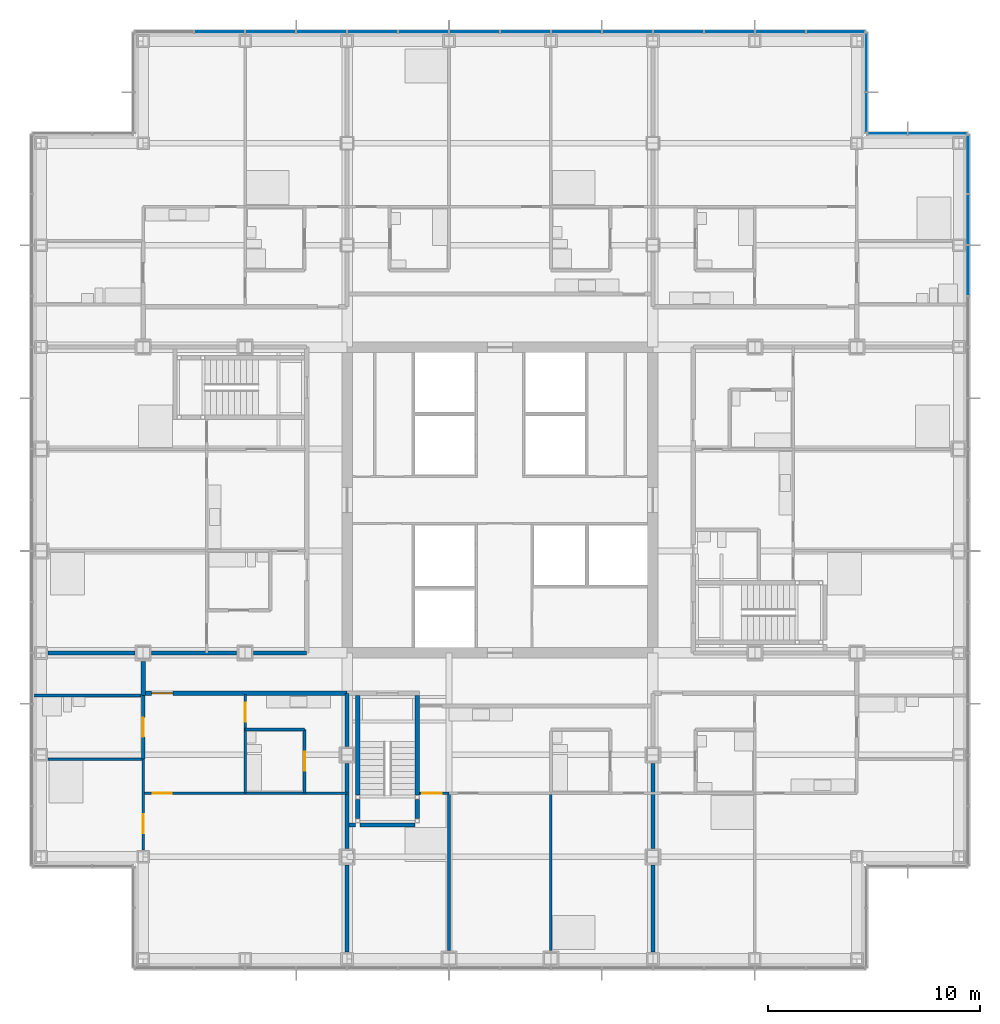
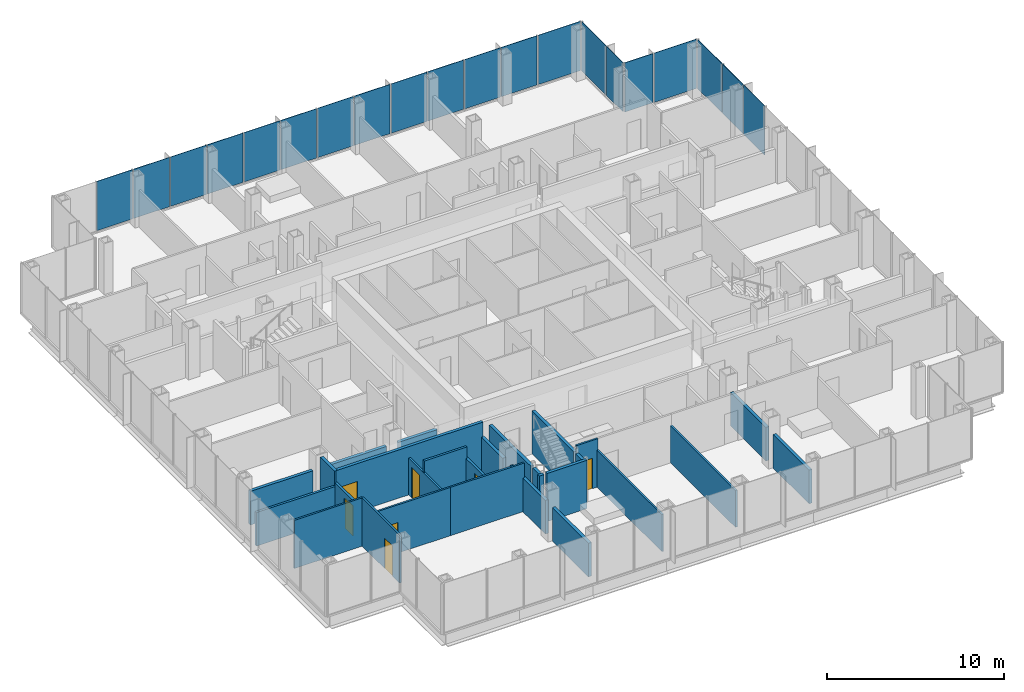
# One storey, part 13 of 21: 28 walls, 20 plates, 7 doors, 7 openings, 4 elements without a shape of their own.
"""IFC4 building model written with IfcOpenShell, lengths in metres."""

from ifc_helpers import new_model, si_unit, direction, frame, frame_2d, origin, origin_2d, place, context, subcontext, project, spatial, rectangle, extrude, material, layer, layer_set, type_object, element, fill, aggregate, save


model = new_model("IFC4")

# Units and contexts
model_context = context("Model", 3, precision=1e-05, world=origin(), true_north=direction((0.0, 1.0)))
body_context = subcontext(model_context, "Body", "Model", "MODEL_VIEW")
ifc_project = project(units=[si_unit("LENGTHUNIT", "METRE"), si_unit("AREAUNIT", "SQUARE_METRE"), si_unit("VOLUMEUNIT", "CUBIC_METRE"), si_unit("PLANEANGLEUNIT", "RADIAN"), si_unit("MASSUNIT", "GRAM", prefix="KILO")], contexts=[model_context])

# Site, building, storey
site_placement = place(None, origin())
site = spatial("IfcSite", under=ifc_project, at=site_placement, CompositionType="ELEMENT")
building_placement = place(site_placement, origin())
building = spatial("IfcBuilding", under=site, at=building_placement, Name="Kvirike Care Tower", CompositionType="ELEMENT")
storey_placement = place(building_placement, frame((0.0, 0.0, 62.0)))
storey = spatial("IfcBuildingStorey", under=building, at=storey_placement, Name="L16", CompositionType="ELEMENT", Elevation=62.0)

# Curtain wall, plates
ifc_material_1 = material(Name="Anodised aluminium stick system", Category="aluminium")
curtain_wall_type = type_object("IfcCurtainWallType", Name="CW-A STICK CURTAIN WALL", PredefinedType="NOTDEFINED", material=ifc_material_1)
curtain_wall_1_placement = place(storey_placement, origin())
curtain_wall_1 = element("IfcCurtainWall", 1, at=curtain_wall_1_placement, inside=storey, type_object=curtain_wall_type, Name="Curtain wall L16 face 7", PredefinedType="NOTDEFINED")
ifc_material_2 = material(Name="Tinted double glazed unit", Category="glass")
ifc_layer_1 = layer(ifc_material_2, 0.031982421875)
ifc_layer_set_1 = layer_set([ifc_layer_1], Name="TINTED VISION PANEL 32")
plate_type = type_object("IfcPlateType", Name="TINTED VISION PANEL 32", PredefinedType="CURTAIN_PANEL", material=ifc_layer_set_1)
plate_1_placement = place(storey_placement, frame((43.64990234375, 46.800048828125, 0.10009765625), z_axis=(0.0, 0.0, 1.0), x_axis=(0.0, 1.0, 0.0)))
plate_1 = element("IfcPlate", 2, at=plate_1_placement, type_object=plate_type, Name="CW-A panel L16 face 7.12", PredefinedType="CURTAIN_PANEL", context=body_context, shape_type="SweptSolid", body=[
    extrude(rectangle(XDim=2.3349609375, YDim=0.031982421875, at=origin_2d()), origin(), (0.0, 0.0, 1.0), 3.39990234375),
])
plate_2_placement = place(storey_placement, frame((43.64990234375, 49.199951171875, 0.10009765625), z_axis=(0.0, 0.0, 1.0), x_axis=(0.0, 1.0, 0.0)))
plate_2 = element("IfcPlate", 3, at=plate_2_placement, type_object=plate_type, Name="CW-A panel L16 face 7.13", PredefinedType="CURTAIN_PANEL", context=body_context, shape_type="SweptSolid", body=[
    extrude(rectangle(XDim=2.3349609375, YDim=0.031982421875, at=origin_2d()), origin(), (0.0, 0.0, 1.0), 3.39990234375),
])
plate_3_placement = place(storey_placement, frame((43.64990234375, 51.808837890625, 0.10009765625), z_axis=(0.0, 0.0, 1.0), x_axis=(0.0, 1.0, 0.0)))
plate_3 = element("IfcPlate", 4, at=plate_3_placement, type_object=plate_type, Name="CW-A panel L16 face 7.14", PredefinedType="CURTAIN_PANEL", context=body_context, shape_type="SweptSolid", body=[
    extrude(rectangle(XDim=2.75244140625, YDim=0.031982421875, at=origin_2d()), origin(), (0.0, 0.0, 1.0), 3.39990234375),
])
aggregate(curtain_wall_1, [plate_1, plate_2, plate_3])

curtain_wall_2_placement = place(storey_placement, origin())
curtain_wall_2 = element("IfcCurtainWall", 5, at=curtain_wall_2_placement, inside=storey, type_object=curtain_wall_type, Name="Curtain wall L16 face 8", PredefinedType="NOTDEFINED")
plate_4_placement = place(storey_placement, frame((42.208740234375, 53.25, 0.10009765625), z_axis=(0.0, 0.0, 1.0), x_axis=(-1.0, 0.0, 0.0)))
plate_4 = element("IfcPlate", 6, at=plate_4_placement, type_object=plate_type, Name="CW-A panel L16 face 8.1", PredefinedType="CURTAIN_PANEL", context=body_context, shape_type="SweptSolid", body=[
    extrude(rectangle(XDim=2.75244140625, YDim=0.031982421875, at=origin_2d()), origin(), (0.0, 0.0, 1.0), 3.39990234375),
])
plate_5_placement = place(storey_placement, frame((39.84130859375, 53.25, 0.10009765625), z_axis=(0.0, 0.0, 1.0), x_axis=(-1.0, 0.0, 0.0)))
plate_5 = element("IfcPlate", 7, at=plate_5_placement, type_object=plate_type, Name="CW-A panel L16 face 8.2", PredefinedType="CURTAIN_PANEL", context=body_context, shape_type="SweptSolid", body=[
    extrude(rectangle(XDim=1.8525390625, YDim=0.031982421875, at=origin_2d()), origin(), (0.0, 0.0, 1.0), 3.39990234375),
])
aggregate(curtain_wall_2, [plate_4, plate_5])

curtain_wall_3_placement = place(storey_placement, origin())
curtain_wall_3 = element("IfcCurtainWall", 8, at=curtain_wall_3_placement, inside=storey, type_object=curtain_wall_type, Name="Curtain wall L16 face 9", PredefinedType="NOTDEFINED")
plate_6_placement = place(storey_placement, frame((38.85009765625, 54.2412109375, 0.10009765625), z_axis=(0.0, 0.0, 1.0), x_axis=(0.0, 1.0, 0.0)))
plate_6 = element("IfcPlate", 9, at=plate_6_placement, type_object=plate_type, Name="CW-A panel L16 face 9.1", PredefinedType="CURTAIN_PANEL", context=body_context, shape_type="SweptSolid", body=[
    extrude(rectangle(XDim=1.8525390625, YDim=0.031982421875, at=origin_2d()), origin(), (0.0, 0.0, 1.0), 3.39990234375),
])
plate_7_placement = place(storey_placement, frame((38.85009765625, 56.608642578125, 0.10009765625), z_axis=(0.0, 0.0, 1.0), x_axis=(0.0, 1.0, 0.0)))
plate_7 = element("IfcPlate", 10, at=plate_7_placement, type_object=plate_type, Name="CW-A panel L16 face 9.2", PredefinedType="CURTAIN_PANEL", context=body_context, shape_type="SweptSolid", body=[
    extrude(rectangle(XDim=2.75244140625, YDim=0.031982421875, at=origin_2d()), origin(), (0.0, 0.0, 1.0), 3.39990234375),
])
aggregate(curtain_wall_3, [plate_6, plate_7])

curtain_wall_4_placement = place(storey_placement, origin())
curtain_wall_4 = element("IfcCurtainWall", 11, at=curtain_wall_4_placement, inside=storey, type_object=curtain_wall_type, Name="Curtain wall L16 face 10", PredefinedType="NOTDEFINED")
plate_8_placement = place(storey_placement, frame((37.40869140625, 58.050048828125, 0.10009765625), z_axis=(0.0, 0.0, 1.0), x_axis=(-1.0, 0.0, 0.0)))
plate_8 = element("IfcPlate", 12, at=plate_8_placement, type_object=plate_type, Name="CW-A panel L16 face 10.1", PredefinedType="CURTAIN_PANEL", context=body_context, shape_type="SweptSolid", body=[
    extrude(rectangle(XDim=2.75244140625, YDim=0.031982421875, at=origin_2d()), origin(), (0.0, 0.0, 1.0), 3.39990234375),
])
plate_9_placement = place(storey_placement, frame((34.800048828125, 58.050048828125, 0.10009765625), z_axis=(0.0, 0.0, 1.0), x_axis=(-1.0, 0.0, 0.0)))
plate_9 = element("IfcPlate", 13, at=plate_9_placement, type_object=plate_type, Name="CW-A panel L16 face 10.2", PredefinedType="CURTAIN_PANEL", context=body_context, shape_type="SweptSolid", body=[
    extrude(rectangle(XDim=2.3349609375, YDim=0.031982421875, at=origin_2d()), origin(), (0.0, 0.0, 1.0), 3.39990234375),
])
plate_10_placement = place(storey_placement, frame((32.39990234375, 58.050048828125, 0.10009765625), z_axis=(0.0, 0.0, 1.0), x_axis=(-1.0, 0.0, 0.0)))
plate_10 = element("IfcPlate", 14, at=plate_10_placement, type_object=plate_type, Name="CW-A panel L16 face 10.3", PredefinedType="CURTAIN_PANEL", context=body_context, shape_type="SweptSolid", body=[
    extrude(rectangle(XDim=2.3349609375, YDim=0.031982421875, at=origin_2d()), origin(), (0.0, 0.0, 1.0), 3.39990234375),
])
plate_11_placement = place(storey_placement, frame((30.0, 58.050048828125, 0.10009765625), z_axis=(0.0, 0.0, 1.0), x_axis=(-1.0, 0.0, 0.0)))
plate_11 = element("IfcPlate", 15, at=plate_11_placement, type_object=plate_type, Name="CW-A panel L16 face 10.4", PredefinedType="CURTAIN_PANEL", context=body_context, shape_type="SweptSolid", body=[
    extrude(rectangle(XDim=2.3349609375, YDim=0.031982421875, at=origin_2d()), origin(), (0.0, 0.0, 1.0), 3.39990234375),
])
plate_12_placement = place(storey_placement, frame((27.60009765625, 58.050048828125, 0.10009765625), z_axis=(0.0, 0.0, 1.0), x_axis=(-1.0, 0.0, 0.0)))
plate_12 = element("IfcPlate", 16, at=plate_12_placement, type_object=plate_type, Name="CW-A panel L16 face 10.5", PredefinedType="CURTAIN_PANEL", context=body_context, shape_type="SweptSolid", body=[
    extrude(rectangle(XDim=2.3349609375, YDim=0.031982421875, at=origin_2d()), origin(), (0.0, 0.0, 1.0), 3.39990234375),
])
plate_13_placement = place(storey_placement, frame((25.199951171875, 58.050048828125, 0.10009765625), z_axis=(0.0, 0.0, 1.0), x_axis=(-1.0, 0.0, 0.0)))
plate_13 = element("IfcPlate", 17, at=plate_13_placement, type_object=plate_type, Name="CW-A panel L16 face 10.6", PredefinedType="CURTAIN_PANEL", context=body_context, shape_type="SweptSolid", body=[
    extrude(rectangle(XDim=2.3349609375, YDim=0.031982421875, at=origin_2d()), origin(), (0.0, 0.0, 1.0), 3.39990234375),
])
plate_14_placement = place(storey_placement, frame((22.800048828125, 58.050048828125, 0.10009765625), z_axis=(0.0, 0.0, 1.0), x_axis=(-1.0, 0.0, 0.0)))
plate_14 = element("IfcPlate", 18, at=plate_14_placement, type_object=plate_type, Name="CW-A panel L16 face 10.7", PredefinedType="CURTAIN_PANEL", context=body_context, shape_type="SweptSolid", body=[
    extrude(rectangle(XDim=2.3349609375, YDim=0.031982421875, at=origin_2d()), origin(), (0.0, 0.0, 1.0), 3.39990234375),
])
plate_15_placement = place(storey_placement, frame((20.39990234375, 58.050048828125, 0.10009765625), z_axis=(0.0, 0.0, 1.0), x_axis=(-1.0, 0.0, 0.0)))
plate_15 = element("IfcPlate", 19, at=plate_15_placement, type_object=plate_type, Name="CW-A panel L16 face 10.8", PredefinedType="CURTAIN_PANEL", context=body_context, shape_type="SweptSolid", body=[
    extrude(rectangle(XDim=2.3349609375, YDim=0.031982421875, at=origin_2d()), origin(), (0.0, 0.0, 1.0), 3.39990234375),
])
plate_16_placement = place(storey_placement, frame((18.0, 58.050048828125, 0.10009765625), z_axis=(0.0, 0.0, 1.0), x_axis=(-1.0, 0.0, 0.0)))
plate_16 = element("IfcPlate", 20, at=plate_16_placement, type_object=plate_type, Name="CW-A panel L16 face 10.9", PredefinedType="CURTAIN_PANEL", context=body_context, shape_type="SweptSolid", body=[
    extrude(rectangle(XDim=2.3349609375, YDim=0.031982421875, at=origin_2d()), origin(), (0.0, 0.0, 1.0), 3.39990234375),
])
plate_17_placement = place(storey_placement, frame((15.60009765625, 58.050048828125, 0.10009765625), z_axis=(0.0, 0.0, 1.0), x_axis=(-1.0, 0.0, 0.0)))
plate_17 = element("IfcPlate", 21, at=plate_17_placement, type_object=plate_type, Name="CW-A panel L16 face 10.10", PredefinedType="CURTAIN_PANEL", context=body_context, shape_type="SweptSolid", body=[
    extrude(rectangle(XDim=2.3349609375, YDim=0.031982421875, at=origin_2d()), origin(), (0.0, 0.0, 1.0), 3.39990234375),
])
plate_18_placement = place(storey_placement, frame((13.199951171875, 58.050048828125, 0.10009765625), z_axis=(0.0, 0.0, 1.0), x_axis=(-1.0, 0.0, 0.0)))
plate_18 = element("IfcPlate", 22, at=plate_18_placement, type_object=plate_type, Name="CW-A panel L16 face 10.11", PredefinedType="CURTAIN_PANEL", context=body_context, shape_type="SweptSolid", body=[
    extrude(rectangle(XDim=2.3349609375, YDim=0.031982421875, at=origin_2d()), origin(), (0.0, 0.0, 1.0), 3.39990234375),
])
plate_19_placement = place(storey_placement, frame((10.800048828125, 58.050048828125, 0.10009765625), z_axis=(0.0, 0.0, 1.0), x_axis=(-1.0, 0.0, 0.0)))
plate_19 = element("IfcPlate", 23, at=plate_19_placement, type_object=plate_type, Name="CW-A panel L16 face 10.12", PredefinedType="CURTAIN_PANEL", context=body_context, shape_type="SweptSolid", body=[
    extrude(rectangle(XDim=2.3349609375, YDim=0.031982421875, at=origin_2d()), origin(), (0.0, 0.0, 1.0), 3.39990234375),
])
plate_20_placement = place(storey_placement, frame((8.39990234375, 58.050048828125, 0.10009765625), z_axis=(0.0, 0.0, 1.0), x_axis=(-1.0, 0.0, 0.0)))
plate_20 = element("IfcPlate", 24, at=plate_20_placement, type_object=plate_type, Name="CW-A panel L16 face 10.13", PredefinedType="CURTAIN_PANEL", context=body_context, shape_type="SweptSolid", body=[
    extrude(rectangle(XDim=2.3349609375, YDim=0.031982421875, at=origin_2d()), origin(), (0.0, 0.0, 1.0), 3.39990234375),
])
aggregate(curtain_wall_4, [plate_8, plate_9, plate_10, plate_11, plate_12, plate_13, plate_14, plate_15, plate_16, plate_17, plate_18, plate_19, plate_20])

# Wall, opening, door
ifc_material_3 = material(Name="Moisture-resistant board partition", Category="gypsum")
ifc_layer_2 = layer(ifc_material_3, 0.14990234375)
ifc_layer_set_2 = layer_set([ifc_layer_2], Name="BATHROOM WALL 150")
wall_type_1 = type_object("IfcWallType", Name="BATHROOM WALL 150", PredefinedType="PARTITIONING", material=ifc_layer_set_2)
wall_1_placement = place(storey_placement, frame((4.800048828125, 23.800048828125, 0.0), z_axis=(0.0, 0.0, 1.0), x_axis=(0.0, 1.0, 0.0)))
wall_1 = element("IfcWall", 25, at=wall_1_placement, inside=storey, type_object=wall_type_1, Name="Bathroom Wall 150 L16", PredefinedType="PARTITIONING", context=body_context, shape_type="SweptSolid", body=[
    extrude(rectangle(XDim=3.0, YDim=0.14990234375, at=frame_2d((1.5, 0.0))), origin(), (0.0, 0.0, 1.0), 2.550048828125),
])
opening_1_placement = place(wall_1_placement, frame((1.050048828125, 0.0, 0.0)))
opening_1 = element("IfcOpeningElement", 26, at=opening_1_placement, cuts=wall_1, Name="Opening 16-001", PredefinedType="OPENING", context=body_context, shape_type="SweptSolid", body=[
    extrude(rectangle(XDim=0.89990234375, YDim=2.10009765625, at=frame_2d((0.449951171875, 1.050048828125))), frame((0.0, 0.08544921875, 0.0), z_axis=(0.0, -1.0, 0.0), x_axis=(1.0, 0.0, 0.0)), (0.0, 0.0, 1.0), 0.1708984375),
])
ifc_material_4 = material(Name="Timber door set", Category="wood")
door_type_1 = type_object("IfcDoorType", Name="BATHROOM DOOR 900", OperationType="SINGLE_SWING_RIGHT", PredefinedType="DOOR", material=ifc_material_4)
door_1_placement = place(opening_1_placement, origin())
door_1 = element("IfcDoor", 27, at=door_1_placement, inside=storey, type_object=door_type_1, Name="Shower room door", OperationType="SINGLE_SWING_LEFT", OverallHeight=2.10009765625, OverallWidth=0.89990234375, PredefinedType="DOOR", context=body_context, shape_type="SweptSolid", body=[
    extrude(rectangle(XDim=0.89990234375, YDim=2.10009765625, at=frame_2d((0.449951171875, 1.050048828125))), frame((0.0, 0.02197265625, 0.0), z_axis=(0.0, -1.0, 0.0), x_axis=(1.0, 0.0, 0.0)), (0.0, 0.0, 1.0), 0.0439453125),
])
fill(opening_1, door_1)

wall_2_placement = place(storey_placement, frame((12.39990234375, 22.199951171875, 0.0), z_axis=(0.0, 0.0, 1.0), x_axis=(0.0, 1.0, 0.0)))
wall_2 = element("IfcWall", 28, at=wall_2_placement, inside=storey, type_object=wall_type_1, Name="Bathroom Wall 150 L16", PredefinedType="PARTITIONING", context=body_context, shape_type="SweptSolid", body=[
    extrude(rectangle(XDim=3.0, YDim=0.14990234375, at=frame_2d((1.5, 0.0))), origin(), (0.0, 0.0, 1.0), 2.550048828125),
])
opening_2_placement = place(wall_2_placement, frame((1.050048828125, 0.0, 0.0)))
opening_2 = element("IfcOpeningElement", 29, at=opening_2_placement, cuts=wall_2, Name="Opening 16-002", PredefinedType="OPENING", context=body_context, shape_type="SweptSolid", body=[
    extrude(rectangle(XDim=0.89990234375, YDim=2.10009765625, at=frame_2d((0.449951171875, 1.050048828125))), frame((0.0, 0.08544921875, 0.0), z_axis=(0.0, -1.0, 0.0), x_axis=(1.0, 0.0, 0.0)), (0.0, 0.0, 1.0), 0.1708984375),
])
door_2_placement = place(opening_2_placement, origin())
door_2 = element("IfcDoor", 30, at=door_2_placement, inside=storey, type_object=door_type_1, Name="Bathroom door", OperationType="SINGLE_SWING_RIGHT", OverallHeight=2.10009765625, OverallWidth=0.89990234375, PredefinedType="DOOR", context=body_context, shape_type="SweptSolid", body=[
    extrude(rectangle(XDim=0.89990234375, YDim=2.10009765625, at=frame_2d((0.449951171875, 1.050048828125))), frame((0.0, 0.02197265625, 0.0), z_axis=(0.0, -1.0, 0.0), x_axis=(1.0, 0.0, 0.0)), (0.0, 0.0, 1.0), 0.0439453125),
])
fill(opening_2, door_2)

# Walls
wall_3_placement = place(storey_placement, frame((9.60009765625, 25.199951171875, 0.0), z_axis=(0.0, 0.0, 1.0), x_axis=(1.0, 0.0, 0.0)))
element("IfcWall", 31, at=wall_3_placement, inside=storey, type_object=wall_type_1, Name="Bathroom Wall 150 L16", PredefinedType="PARTITIONING", context=body_context, shape_type="SweptSolid", body=[
    extrude(rectangle(XDim=2.7998046875, YDim=0.14990234375, at=frame_2d((1.39990234375, 0.0))), origin(), (0.0, 0.0, 1.0), 3.330078125),
])
wall_4_placement = place(storey_placement, frame((-0.429931640625, 26.800048828125, 0.0), z_axis=(0.0, 0.0, 1.0), x_axis=(1.0, 0.0, 0.0)))
element("IfcWall", 32, at=wall_4_placement, inside=storey, type_object=wall_type_1, Name="Bathroom Wall 150 L16", PredefinedType="PARTITIONING", context=body_context, shape_type="SweptSolid", body=[
    extrude(rectangle(XDim=5.1298828125, YDim=0.14990234375, at=frame_2d((2.56494140625, 0.0))), origin(), (0.0, 0.0, 1.0), 2.320068359375),
])

# Wall, opening, door
ifc_material_5 = material(Name="Plasterboard corridor wall", Category="gypsum")
ifc_layer_3 = layer(ifc_material_5, 0.199951171875)
ifc_layer_set_3 = layer_set([ifc_layer_3], Name="CORRIDOR WALL 200")
wall_type_2 = type_object("IfcWallType", Name="CORRIDOR WALL 200", PredefinedType="PARTITIONING", material=ifc_layer_set_3)
wall_5_placement = place(storey_placement, frame((4.800048828125, 26.89990234375, 0.0), z_axis=(0.0, 0.0, 1.0), x_axis=(1.0, 0.0, 0.0)))
wall_5 = element("IfcWall", 33, at=wall_5_placement, inside=storey, type_object=wall_type_2, Name="Corridor Wall 200 L16", PredefinedType="PARTITIONING", context=body_context, shape_type="SweptSolid", body=[
    extrude(rectangle(XDim=9.599853515625, YDim=0.199951171875, at=frame_2d((4.7998046875, 0.0))), origin(), (0.0, 0.0, 1.0), 3.330078125),
])
opening_3_placement = place(wall_5_placement, frame((0.39990234375, 0.0, 0.0)))
opening_3 = element("IfcOpeningElement", 34, at=opening_3_placement, cuts=wall_5, Name="Opening 16-006", PredefinedType="OPENING", context=body_context, shape_type="SweptSolid", body=[
    extrude(rectangle(XDim=1.0, YDim=2.10009765625, at=frame_2d((0.5, 1.050048828125))), frame((0.0, 0.110595703125, 0.0), z_axis=(0.0, -1.0, 0.0), x_axis=(1.0, 0.0, 0.0)), (0.0, 0.0, 1.0), 0.220947265625),
])
ifc_material_6 = material(Name="Timber door set", Category="wood")
door_type_2 = type_object("IfcDoorType", Name="FLAT ENTRANCE DOOR 1000", OperationType="SINGLE_SWING_LEFT", PredefinedType="DOOR", material=ifc_material_6)
door_3_placement = place(opening_3_placement, frame((1.0, 0.0, 0.0), z_axis=(0.0, 0.0, 1.0), x_axis=(-1.0, 0.0, 0.0)))
door_3 = element("IfcDoor", 35, at=door_3_placement, inside=storey, type_object=door_type_2, Name="One-bedroom apartment entrance", OperationType="SINGLE_SWING_LEFT", OverallHeight=2.10009765625, OverallWidth=1.0, PredefinedType="DOOR", context=body_context, shape_type="SweptSolid", body=[
    extrude(rectangle(XDim=1.0, YDim=2.10009765625, at=frame_2d((0.5, 1.050048828125))), frame((0.0, 0.02685546875, 0.0), z_axis=(0.0, -1.0, 0.0), x_axis=(1.0, 0.0, 0.0)), (0.0, 0.0, 1.0), 0.053955078125),
])
fill(opening_3, door_3)

# Wall
wall_6_placement = place(storey_placement, frame((4.800048828125, 26.800048828125, 0.0), z_axis=(0.0, 0.0, 1.0), x_axis=(0.0, 1.0, 0.0)))
element("IfcWall", 36, at=wall_6_placement, inside=storey, type_object=wall_type_2, Name="Corridor Wall 200 L16", PredefinedType="PARTITIONING", context=body_context, shape_type="SweptSolid", body=[
    extrude(rectangle(XDim=1.60498046875, YDim=0.199951171875, at=frame_2d((0.802490234375, 0.0))), origin(), (0.0, 0.0, 1.0), 3.330078125),
])

# Wall, opening, door
ifc_material_7 = material(Name="Plasterboard partition", Category="gypsum")
ifc_layer_4 = layer(ifc_material_7, 0.1201171875)
ifc_layer_set_4 = layer_set([ifc_layer_4], Name="PARTITION 120")
wall_type_3 = type_object("IfcWallType", Name="PARTITION 120", PredefinedType="PARTITIONING", material=ifc_layer_set_4)
wall_7_placement = place(storey_placement, frame((9.60009765625, 22.199951171875, 0.0), z_axis=(0.0, 0.0, 1.0), x_axis=(0.0, 1.0, 0.0)))
wall_7 = element("IfcWall", 37, at=wall_7_placement, inside=storey, type_object=wall_type_3, Name="Partition 120 L16", PredefinedType="PARTITIONING", context=body_context, shape_type="SweptSolid", body=[
    extrude(rectangle(XDim=4.650146484375, YDim=0.1201171875, at=frame_2d((2.3251953125, 0.0))), origin(), (0.0, 0.0, 1.0), 2.550048828125),
])
opening_4_placement = place(wall_7_placement, frame((3.35009765625, 0.0, 0.0)))
opening_4 = element("IfcOpeningElement", 38, at=opening_4_placement, cuts=wall_7, Name="Opening 16-003", PredefinedType="OPENING", context=body_context, shape_type="SweptSolid", body=[
    extrude(rectangle(XDim=0.89990234375, YDim=2.10009765625, at=frame_2d((0.449951171875, 1.050048828125))), frame((0.0, 0.070556640625, 0.0), z_axis=(0.0, -1.0, 0.0), x_axis=(1.0, 0.0, 0.0)), (0.0, 0.0, 1.0), 0.14111328125),
])
ifc_material_8 = material(Name="Timber door set", Category="wood")
door_type_3 = type_object("IfcDoorType", Name="INTERNAL DOOR 900", OperationType="SINGLE_SWING_LEFT", PredefinedType="DOOR", material=ifc_material_8)
door_4_placement = place(opening_4_placement, frame((0.89990234375, 0.0, 0.0), z_axis=(0.0, 0.0, 1.0), x_axis=(-1.0, 0.0, 0.0)))
door_4 = element("IfcDoor", 39, at=door_4_placement, inside=storey, type_object=door_type_3, Name="Hall door", OperationType="SINGLE_SWING_RIGHT", OverallHeight=2.10009765625, OverallWidth=0.89990234375, PredefinedType="DOOR", context=body_context, shape_type="SweptSolid", body=[
    extrude(rectangle(XDim=0.89990234375, YDim=2.10009765625, at=frame_2d((0.449951171875, 1.050048828125))), frame((0.0, 0.02197265625, 0.0), z_axis=(0.0, -1.0, 0.0), x_axis=(1.0, 0.0, 0.0)), (0.0, 0.0, 1.0), 0.0439453125),
])
fill(opening_4, door_4)

# Wall
wall_8_placement = place(storey_placement, frame((0.320068359375, 23.800048828125, 0.0), z_axis=(0.0, 0.0, 1.0), x_axis=(1.0, 0.0, 0.0)))
element("IfcWall", 40, at=wall_8_placement, inside=storey, type_object=wall_type_3, Name="Partition 120 L16", PredefinedType="PARTITIONING", context=body_context, shape_type="SweptSolid", body=[
    extrude(rectangle(XDim=4.47998046875, YDim=0.1201171875, at=frame_2d((2.239990234375, 0.0))), origin(), (0.0, 0.0, 1.0), 3.330078125),
])

# Wall, opening, door
wall_9_placement = place(storey_placement, frame((4.800048828125, 22.199951171875, 0.0), z_axis=(0.0, 0.0, 1.0), x_axis=(1.0, 0.0, 0.0)))
wall_9 = element("IfcWall", 41, at=wall_9_placement, inside=storey, type_object=wall_type_3, Name="Partition 120 L16", PredefinedType="PARTITIONING", context=body_context, shape_type="SweptSolid", body=[
    extrude(rectangle(XDim=4.800048828125, YDim=0.1201171875, at=frame_2d((2.39990234375, 0.0))), origin(), (0.0, 0.0, 1.0), 3.330078125),
])
opening_5_placement = place(wall_9_placement, frame((0.449951171875, 0.0, 0.0)))
opening_5 = element("IfcOpeningElement", 42, at=opening_5_placement, cuts=wall_9, Name="Opening 16-004", PredefinedType="OPENING", context=body_context, shape_type="SweptSolid", body=[
    extrude(rectangle(XDim=0.89990234375, YDim=2.10009765625, at=frame_2d((0.449951171875, 1.050048828125))), frame((0.0, 0.070556640625, 0.0), z_axis=(0.0, -1.0, 0.0), x_axis=(1.0, 0.0, 0.0)), (0.0, 0.0, 1.0), 0.14111328125),
])
door_5_placement = place(opening_5_placement, origin())
door_5 = element("IfcDoor", 43, at=door_5_placement, inside=storey, type_object=door_type_3, Name="Apartment living and dining room door", OperationType="SINGLE_SWING_LEFT", OverallHeight=2.10009765625, OverallWidth=0.89990234375, PredefinedType="DOOR", context=body_context, shape_type="SweptSolid", body=[
    extrude(rectangle(XDim=0.89990234375, YDim=2.10009765625, at=frame_2d((0.449951171875, 1.050048828125))), frame((0.0, 0.02197265625, 0.0), z_axis=(0.0, -1.0, 0.0), x_axis=(1.0, 0.0, 0.0)), (0.0, 0.0, 1.0), 0.0439453125),
])
fill(opening_5, door_5)

# Wall
wall_10_placement = place(storey_placement, frame((9.60009765625, 22.199951171875, 0.0), z_axis=(0.0, 0.0, 1.0), x_axis=(1.0, 0.0, 0.0)))
element("IfcWall", 44, at=wall_10_placement, inside=storey, type_object=wall_type_3, Name="Partition 120 L16", PredefinedType="PARTITIONING", context=body_context, shape_type="SweptSolid", body=[
    extrude(rectangle(XDim=4.7998046875, YDim=0.1201171875, at=frame_2d((2.39990234375, 0.0))), origin(), (0.0, 0.0, 1.0), 3.330078125),
])

# Wall, opening, door
wall_11_placement = place(storey_placement, frame((4.800048828125, 19.52001953125, 0.0), z_axis=(0.0, 0.0, 1.0), x_axis=(0.0, 1.0, 0.0)))
wall_11 = element("IfcWall", 45, at=wall_11_placement, inside=storey, type_object=wall_type_3, Name="Partition 120 L16", PredefinedType="PARTITIONING", context=body_context, shape_type="SweptSolid", body=[
    extrude(rectangle(XDim=4.280029296875, YDim=0.1201171875, at=frame_2d((2.14013671875, 0.0))), origin(), (0.0, 0.0, 1.0), 3.330078125),
])
opening_6_placement = place(wall_11_placement, frame((0.780029296875, 0.0, 0.0)))
opening_6 = element("IfcOpeningElement", 46, at=opening_6_placement, cuts=wall_11, Name="Opening 16-005", PredefinedType="OPENING", context=body_context, shape_type="SweptSolid", body=[
    extrude(rectangle(XDim=0.89990234375, YDim=2.10009765625, at=frame_2d((0.449951171875, 1.050048828125))), frame((0.0, 0.070556640625, 0.0), z_axis=(0.0, -1.0, 0.0), x_axis=(1.0, 0.0, 0.0)), (0.0, 0.0, 1.0), 0.14111328125),
])
door_6_placement = place(opening_6_placement, origin())
door_6 = element("IfcDoor", 47, at=door_6_placement, inside=storey, type_object=door_type_3, Name="Connecting door", OperationType="SINGLE_SWING_RIGHT", OverallHeight=2.10009765625, OverallWidth=0.89990234375, PredefinedType="DOOR", context=body_context, shape_type="SweptSolid", body=[
    extrude(rectangle(XDim=0.89990234375, YDim=2.10009765625, at=frame_2d((0.449951171875, 1.050048828125))), frame((0.0, 0.02197265625, 0.0), z_axis=(0.0, -1.0, 0.0), x_axis=(1.0, 0.0, 0.0)), (0.0, 0.0, 1.0), 0.0439453125),
])
fill(opening_6, door_6)

wall_12_placement = place(storey_placement, frame((17.800048828125, 22.199951171875, 0.0), z_axis=(0.0, 0.0, 1.0), x_axis=(1.0, 0.0, 0.0)))
wall_12 = element("IfcWall", 48, at=wall_12_placement, inside=storey, type_object=wall_type_3, Name="Partition 120 L16", PredefinedType="PARTITIONING", context=body_context, shape_type="SweptSolid", body=[
    extrude(rectangle(XDim=1.39990234375, YDim=0.1201171875, at=frame_2d((0.699951171875, 0.0))), origin(), (0.0, 0.0, 1.0), 3.330078125),
])
opening_7_placement = place(wall_12_placement, frame((0.14990234375, 0.0, 0.0)))
opening_7 = element("IfcOpeningElement", 49, at=opening_7_placement, cuts=wall_12, Name="Opening 16-023", PredefinedType="OPENING", context=body_context, shape_type="SweptSolid", body=[
    extrude(rectangle(XDim=0.89990234375, YDim=2.10009765625, at=frame_2d((0.449951171875, 1.050048828125))), frame((0.0, 0.070556640625, 0.0), z_axis=(0.0, -1.0, 0.0), x_axis=(1.0, 0.0, 0.0)), (0.0, 0.0, 1.0), 0.14111328125),
])
door_7_placement = place(opening_7_placement, frame((0.89990234375, 0.0, 0.0), z_axis=(0.0, 0.0, 1.0), x_axis=(-1.0, 0.0, 0.0)))
door_7 = element("IfcDoor", 50, at=door_7_placement, inside=storey, type_object=door_type_3, Name="Apartment bedroom door", OperationType="SINGLE_SWING_LEFT", OverallHeight=2.10009765625, OverallWidth=0.89990234375, PredefinedType="DOOR", context=body_context, shape_type="SweptSolid", body=[
    extrude(rectangle(XDim=0.89990234375, YDim=2.10009765625, at=frame_2d((0.449951171875, 1.050048828125))), frame((0.0, 0.02197265625, 0.0), z_axis=(0.0, -1.0, 0.0), x_axis=(1.0, 0.0, 0.0)), (0.0, 0.0, 1.0), 0.0439453125),
])
fill(opening_7, door_7)

# Walls
for number, where, z_axis, x_axis, name in (
    (51, (19.199951171875, 14.794921875, 0.0), (0.0, 0.0, 1.0), (0.0, 1.0, 0.0), "Partition 120 L16"),
    (52, (24.0, 14.794921875, 0.0), (0.0, 0.0, 1.0), (0.0, 1.0, 0.0), "Partition 120 L16"),
):
    element("IfcWall", number, at=place(storey_placement, frame(where, z_axis=z_axis, x_axis=x_axis)), inside=storey, type_object=wall_type_3, Name=name, PredefinedType="PARTITIONING", context=body_context, shape_type="SweptSolid", body=[
        extrude(rectangle(XDim=7.405029296875, YDim=0.1201171875, at=frame_2d((3.70263671875, 0.0))), origin(), (0.0, 0.0, 1.0), 2.550048828125),
    ])
ifc_material_9 = material(Name="Plasterboard party wall", Category="gypsum")
ifc_layer_5 = layer(ifc_material_9, 0.199951171875)
ifc_layer_set_5 = layer_set([ifc_layer_5], Name="PARTY WALL 200")
wall_type_4 = type_object("IfcWallType", Name="PARTY WALL 200", PredefinedType="PARTITIONING", material=ifc_layer_set_5)
wall_13_placement = place(storey_placement, frame((12.5, 28.800048828125, 0.0), z_axis=(0.0, 0.0, 1.0), x_axis=(-1.0, 0.0, 0.0)))
element("IfcWall", 53, at=wall_13_placement, inside=storey, type_object=wall_type_4, Name="Party Wall 200 L16", PredefinedType="PARTITIONING", context=body_context, shape_type="SweptSolid", body=[
    extrude(rectangle(XDim=2.5048828125, YDim=0.199951171875, at=frame_2d((1.25244140625, 0.0))), origin(), (0.0, 0.0, 1.0), 2.320068359375),
])
wall_14_placement = place(storey_placement, frame((9.205078125, 28.800048828125, 0.0), z_axis=(0.0, 0.0, 1.0), x_axis=(-1.0, 0.0, 0.0)))
element("IfcWall", 54, at=wall_14_placement, inside=storey, type_object=wall_type_4, Name="Party Wall 200 L16", PredefinedType="PARTITIONING", context=body_context, shape_type="SweptSolid", body=[
    extrude(rectangle(XDim=4.010009765625, YDim=0.199951171875, at=frame_2d((2.0048828125, 0.0))), origin(), (0.0, 0.0, 1.0), 2.320068359375),
])
for number, where, z_axis, x_axis, name in (
    (55, (4.405029296875, 28.800048828125, 0.0), (0.0, 0.0, 1.0), (-1.0, 0.0, 0.0), "Party Wall 200 L16"),
    (56, (14.39990234375, 14.719970703125, 0.0), (0.0, 0.0, 1.0), (0.0, 1.0, 0.0), "Party Wall 200 L16"),
):
    element("IfcWall", number, at=place(storey_placement, frame(where, z_axis=z_axis, x_axis=x_axis)), inside=storey, type_object=wall_type_4, Name=name, PredefinedType="PARTITIONING", context=body_context, shape_type="SweptSolid", body=[
        extrude(rectangle(XDim=4.0849609375, YDim=0.199951171875, at=frame_2d((2.04248046875, 0.0))), origin(), (0.0, 0.0, 1.0), 2.320068359375),
    ])
wall_15_placement = place(storey_placement, frame((14.39990234375, 19.594970703125, 0.0), z_axis=(0.0, 0.0, 1.0), x_axis=(0.0, 1.0, 0.0)))
element("IfcWall", 57, at=wall_15_placement, inside=storey, type_object=wall_type_4, Name="Party Wall 200 L16", PredefinedType="PARTITIONING", context=body_context, shape_type="SweptSolid", body=[
    extrude(rectangle(XDim=4.010009765625, YDim=0.199951171875, at=frame_2d((2.0048828125, 0.0))), origin(), (0.0, 0.0, 1.0), 2.320068359375),
])
wall_16_placement = place(storey_placement, frame((14.39990234375, 24.39501953125, 0.0), z_axis=(0.0, 0.0, 1.0), x_axis=(0.0, 1.0, 0.0)))
element("IfcWall", 58, at=wall_16_placement, inside=storey, type_object=wall_type_4, Name="Party Wall 200 L16", PredefinedType="PARTITIONING", context=body_context, shape_type="SweptSolid", body=[
    extrude(rectangle(XDim=2.5048828125, YDim=0.199951171875, at=frame_2d((1.25244140625, 0.0))), origin(), (0.0, 0.0, 1.0), 2.320068359375),
])
wall_17_placement = place(storey_placement, frame((28.800048828125, 14.719970703125, 0.0), z_axis=(0.0, 0.0, 1.0), x_axis=(0.0, 1.0, 0.0)))
element("IfcWall", 59, at=wall_17_placement, inside=storey, type_object=wall_type_4, Name="Party Wall 200 L16", PredefinedType="PARTITIONING", context=body_context, shape_type="SweptSolid", body=[
    extrude(rectangle(XDim=4.0849609375, YDim=0.199951171875, at=frame_2d((2.04248046875, 0.0))), origin(), (0.0, 0.0, 1.0), 2.320068359375),
])
wall_18_placement = place(storey_placement, frame((28.800048828125, 19.594970703125, 0.0), z_axis=(0.0, 0.0, 1.0), x_axis=(0.0, 1.0, 0.0)))
element("IfcWall", 60, at=wall_18_placement, inside=storey, type_object=wall_type_4, Name="Party Wall 200 L16", PredefinedType="PARTITIONING", context=body_context, shape_type="SweptSolid", body=[
    extrude(rectangle(XDim=4.010009765625, YDim=0.199951171875, at=frame_2d((2.0048828125, 0.0))), origin(), (0.0, 0.0, 1.0), 2.320068359375),
])
ifc_material_10 = material(Name="Concrete C40/50", Category="concrete")
ifc_layer_6 = layer(ifc_material_10, 0.199951171875)
ifc_layer_set_6 = layer_set([ifc_layer_6], Name="STAIR WALL 200")
wall_type_5 = type_object("IfcWallType", Name="STAIR WALL 200", PredefinedType="SOLIDWALL", material=ifc_layer_set_6)
wall_19_placement = place(storey_placement, frame((14.89990234375, 21.0, 0.0), z_axis=(0.0, 0.0, 1.0), x_axis=(0.0, 1.0, 0.0)))
element("IfcWall", 61, at=wall_19_placement, inside=storey, type_object=wall_type_5, Name="Stair Wall 200 L16", PredefinedType="SOLIDWALL", context=body_context, shape_type="SweptSolid", body=[
    extrude(rectangle(XDim=0.89990234375, YDim=0.199951171875, at=frame_2d((0.449951171875, 0.0))), origin(), (0.0, 0.0, 1.0), 2.989990234375),
])
wall_20_placement = place(storey_placement, frame((14.89990234375, 22.10009765625, 0.0), z_axis=(0.0, 0.0, 1.0), x_axis=(0.0, 1.0, 0.0)))
element("IfcWall", 62, at=wall_20_placement, inside=storey, type_object=wall_type_5, Name="Stair Wall 200 L16", PredefinedType="SOLIDWALL", context=body_context, shape_type="SweptSolid", body=[
    extrude(rectangle(XDim=4.699951171875, YDim=0.199951171875, at=frame_2d((2.35009765625, 0.0))), origin(), (0.0, 0.0, 1.0), 2.989990234375),
])
wall_21_placement = place(storey_placement, frame((17.699951171875, 21.0, 0.0), z_axis=(0.0, 0.0, 1.0), x_axis=(0.0, 1.0, 0.0)))
element("IfcWall", 63, at=wall_21_placement, inside=storey, type_object=wall_type_5, Name="Stair Wall 200 L16", PredefinedType="SOLIDWALL", context=body_context, shape_type="SweptSolid", body=[
    extrude(rectangle(XDim=0.89990234375, YDim=0.199951171875, at=frame_2d((0.449951171875, 0.0))), origin(), (0.0, 0.0, 1.0), 2.989990234375),
])
wall_22_placement = place(storey_placement, frame((17.699951171875, 22.10009765625, 0.0), z_axis=(0.0, 0.0, 1.0), x_axis=(0.0, 1.0, 0.0)))
element("IfcWall", 64, at=wall_22_placement, inside=storey, type_object=wall_type_5, Name="Stair Wall 200 L16", PredefinedType="SOLIDWALL", context=body_context, shape_type="SweptSolid", body=[
    extrude(rectangle(XDim=4.699951171875, YDim=0.199951171875, at=frame_2d((2.35009765625, 0.0))), origin(), (0.0, 0.0, 1.0), 2.989990234375),
])
wall_23_placement = place(storey_placement, frame((14.5, 20.699951171875, 0.0), z_axis=(0.0, 0.0, 1.0), x_axis=(1.0, 0.0, 0.0)))
element("IfcWall", 65, at=wall_23_placement, inside=storey, type_object=wall_type_5, Name="Stair Wall 200 L16", PredefinedType="SOLIDWALL", context=body_context, shape_type="SweptSolid", body=[
    extrude(rectangle(XDim=0.300048828125, YDim=0.199951171875, at=frame_2d((0.14990234375, 0.0))), origin(), (0.0, 0.0, 1.0), 3.330078125),
])
wall_24_placement = place(storey_placement, frame((15.0, 20.699951171875, 0.0), z_axis=(0.0, 0.0, 1.0), x_axis=(1.0, 0.0, 0.0)))
element("IfcWall", 66, at=wall_24_placement, inside=storey, type_object=wall_type_5, Name="Stair Wall 200 L16", PredefinedType="SOLIDWALL", context=body_context, shape_type="SweptSolid", body=[
    extrude(rectangle(XDim=2.60009765625, YDim=0.199951171875, at=frame_2d((1.300048828125, 0.0))), origin(), (0.0, 0.0, 1.0), 3.330078125),
])

save(model, "model.ifc")
